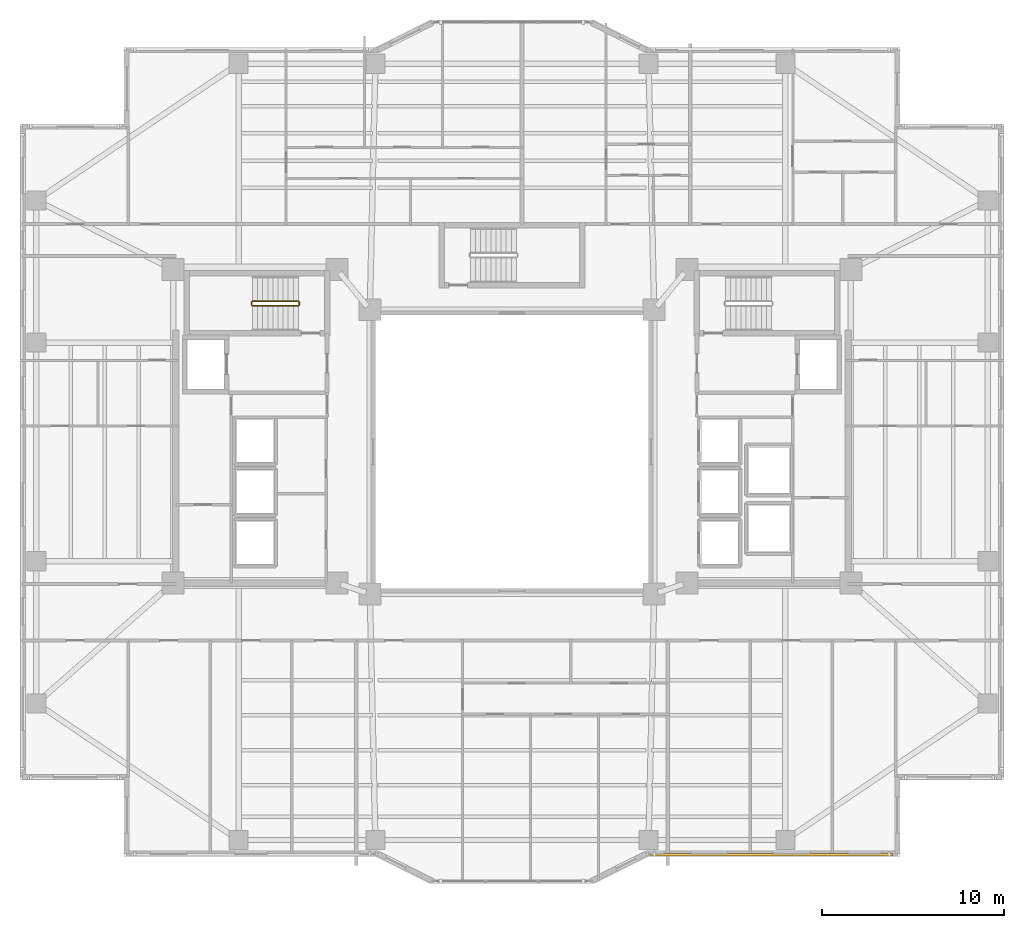
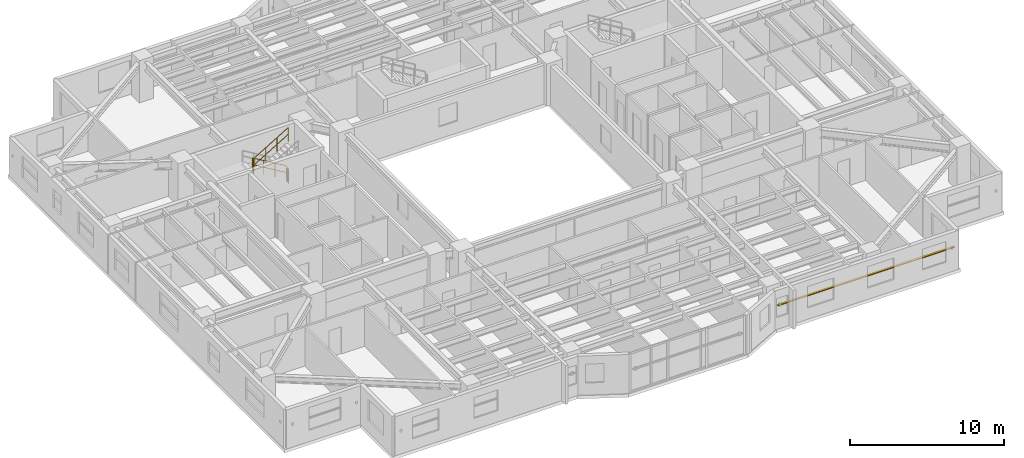
# One storey, part 15 of 18: 4 railings, 1 shading device.
"""IFC4 building model written with IfcOpenShell, lengths in metres."""

from ifc_helpers import new_model, si_unit, direction, frame, origin, origin_2d, place, context, subcontext, project, spatial, rectangle, circle, extrude, material, material_profile, profile_set, type_object, element, save


model = new_model("IFC4")

# Units and contexts
model_context = context("Model", 3, precision=1e-05, world=origin(), true_north=direction((0.0, 1.0)))
body_context = subcontext(model_context, "Body", "Model", "MODEL_VIEW")
ifc_project = project(units=[si_unit("LENGTHUNIT", "METRE"), si_unit("AREAUNIT", "SQUARE_METRE"), si_unit("VOLUMEUNIT", "CUBIC_METRE"), si_unit("PLANEANGLEUNIT", "RADIAN"), si_unit("MASSUNIT", "GRAM", prefix="KILO")], contexts=[model_context])

# Site, building, storey
site_placement = place(None, origin())
site = spatial("IfcSite", under=ifc_project, at=site_placement, CompositionType="ELEMENT")
building_placement = place(site_placement, origin())
building = spatial("IfcBuilding", under=site, at=building_placement, Name="Tarnavaz Court Tower", CompositionType="ELEMENT")
storey_placement = place(building_placement, frame((0.0, 0.0, 91.699951171875)))
storey = spatial("IfcBuildingStorey", under=building, at=storey_placement, Name="L24", CompositionType="ELEMENT", Elevation=91.699951171875)

# Railings
ifc_material_1 = material(Name="Galvanized Painted Tubular Steel", Category="steel")
railing_type = type_object("IfcRailingType", Name="RL-STGUARD-1120", PredefinedType="GUARDRAIL", material=ifc_material_1)
railing_1_placement = place(storey_placement, frame((-11.719970703125, 8.27001953125, 0.16748046875)))
element("IfcRailing", 1, at=railing_1_placement, inside=storey, type_object=railing_type, Name="L24 ST-W1 stair guard 1", PredefinedType="GUARDRAIL", context=body_context, shape_type="SweptSolid", body=[
    extrude(circle(Radius=0.02392578125, at=origin_2d()), frame((0.0, 0.0, 1.09619140625), z_axis=(-0.858159760407, 0.0, 0.513382728203), x_axis=(0.0, -1.0, 0.0)), (0.0, 0.0, 1.0), 2.9365234375),
    extrude(circle(Radius=0.02392578125, at=origin_2d()), frame((0.0, 0.0, 0.56005859375), z_axis=(-0.858159760407, 0.0, 0.513382728203), x_axis=(0.0, -1.0, 0.0)), (0.0, 0.0, 1.0), 2.9365234375),
    extrude(circle(Radius=0.02099609375, at=origin_2d()), origin(), (0.0, 0.0, 1.0), 1.072021484375),
    extrude(circle(Radius=0.02099609375, at=origin_2d()), frame((-0.840087890625, 0.0, 0.50244140625)), (0.0, 0.0, 1.0), 1.072021484375),
    extrude(circle(Radius=0.02099609375, at=origin_2d()), frame((-1.679931640625, 0.0, 1.005126953125)), (0.0, 0.0, 1.0), 1.072021484375),
    extrude(circle(Radius=0.02099609375, at=origin_2d()), frame((-2.52001953125, 0.0, 1.507568359375)), (0.0, 0.0, 1.0), 1.072021484375),
])
railing_2_placement = place(storey_placement, frame((-14.2900390625, 8.219970703125, 1.675048828125)))
element("IfcRailing", 2, at=railing_2_placement, inside=storey, type_object=railing_type, Name="L24 ST-W1 stair guard 2", PredefinedType="GUARDRAIL", context=body_context, shape_type="SweptSolid", body=[
    extrude(circle(Radius=0.02392578125, at=origin_2d()), frame((0.0, 0.0, 1.09619140625), z_axis=(0.0, -1.0, 0.0), x_axis=(1.0, 0.0, 0.0)), (0.0, 0.0, 1.0), 0.14990234375),
    extrude(circle(Radius=0.02392578125, at=origin_2d()), frame((0.0, 0.0, 0.56005859375), z_axis=(0.0, -1.0, 0.0), x_axis=(1.0, 0.0, 0.0)), (0.0, 0.0, 1.0), 0.14990234375),
    extrude(circle(Radius=0.02099609375, at=origin_2d()), origin(), (0.0, 0.0, 1.0), 1.072021484375),
    extrude(circle(Radius=0.02099609375, at=origin_2d()), frame((0.0, -0.14990234375, 0.0)), (0.0, 0.0, 1.0), 1.072021484375),
])
railing_3_placement = place(storey_placement, frame((-14.239990234375, 8.02001953125, 1.842529296875)))
element("IfcRailing", 3, at=railing_3_placement, inside=storey, type_object=railing_type, Name="L24 ST-W1 stair guard 3", PredefinedType="GUARDRAIL", context=body_context, shape_type="SweptSolid", body=[
    extrude(circle(Radius=0.02392578125, at=origin_2d()), frame((0.0, 0.0, 1.09619140625), z_axis=(0.858159760407, 0.0, 0.513382728203), x_axis=(0.0, 1.0, 0.0)), (0.0, 0.0, 1.0), 2.9365234375),
    extrude(circle(Radius=0.02392578125, at=origin_2d()), frame((0.0, 0.0, 0.56005859375), z_axis=(0.858159760407, 0.0, 0.513382728203), x_axis=(0.0, 1.0, 0.0)), (0.0, 0.0, 1.0), 2.9365234375),
    extrude(circle(Radius=0.02099609375, at=origin_2d()), origin(), (0.0, 0.0, 1.0), 1.072021484375),
    extrude(circle(Radius=0.02099609375, at=origin_2d()), frame((0.840087890625, 0.0, 0.50244140625)), (0.0, 0.0, 1.0), 1.072021484375),
    extrude(circle(Radius=0.02099609375, at=origin_2d()), frame((1.679931640625, 0.0, 1.005126953125)), (0.0, 0.0, 1.0), 1.072021484375),
    extrude(circle(Radius=0.02099609375, at=origin_2d()), frame((2.52001953125, 0.0, 1.507568359375)), (0.0, 0.0, 1.0), 1.072021484375),
])
railing_4_placement = place(storey_placement, frame((-11.669921875, 8.219970703125, 0.0)))
element("IfcRailing", 4, at=railing_4_placement, inside=storey, type_object=railing_type, Name="L24 ST-W1 stair guard 4", PredefinedType="GUARDRAIL", context=body_context, shape_type="SweptSolid", body=[
    extrude(circle(Radius=0.02392578125, at=origin_2d()), frame((0.0, 0.0, 1.09619140625), z_axis=(0.0, -1.0, 0.0), x_axis=(1.0, 0.0, 0.0)), (0.0, 0.0, 1.0), 0.14990234375),
    extrude(circle(Radius=0.02392578125, at=origin_2d()), frame((0.0, 0.0, 0.56005859375), z_axis=(0.0, -1.0, 0.0), x_axis=(1.0, 0.0, 0.0)), (0.0, 0.0, 1.0), 0.14990234375),
    extrude(circle(Radius=0.02099609375, at=origin_2d()), origin(), (0.0, 0.0, 1.0), 1.072021484375),
    extrude(circle(Radius=0.02099609375, at=origin_2d()), frame((0.0, -0.14990234375, 0.0)), (0.0, 0.0, 1.0), 1.072021484375),
])

# Shading device
ifc_material_2 = material(Name="Kiln-Fired Khorasan Terracotta Ceramic", Category="masonry")
ifc_material_profile = material_profile(ifc_material_2, rectangle(XDim=0.14990234375, YDim=0.06494140625, at=origin_2d()), Name="TC BAGUETTE 150X65")
ifc_profile_set = profile_set([ifc_material_profile], Name="Kiln-Fired Khorasan Terracotta Ceramic")
shading_device_type = type_object("IfcShadingDeviceType", Name="SD-BAG-150", PredefinedType="USERDEFINED", material=ifc_profile_set)
shading_device_placement = place(storey_placement, frame((20.89990234375, -22.110107421875, 1.85009765625), z_axis=(-1.0, 0.0, 0.0), x_axis=(0.0, -1.0, 0.0)))
element("IfcShadingDevice", 5, at=shading_device_placement, inside=storey, type_object=shading_device_type, Name="L24 Terracotta Baguette Screen FBG15", ObjectType="BAGUETTE", PredefinedType="USERDEFINED", context=body_context, shape_type="SweptSolid", body=[
    extrude(rectangle(XDim=0.14990234375, YDim=0.06494140625, at=origin_2d()), origin(), (0.0, 0.0, 1.0), 13.2998046875),
])

save(model, "model.ifc")
